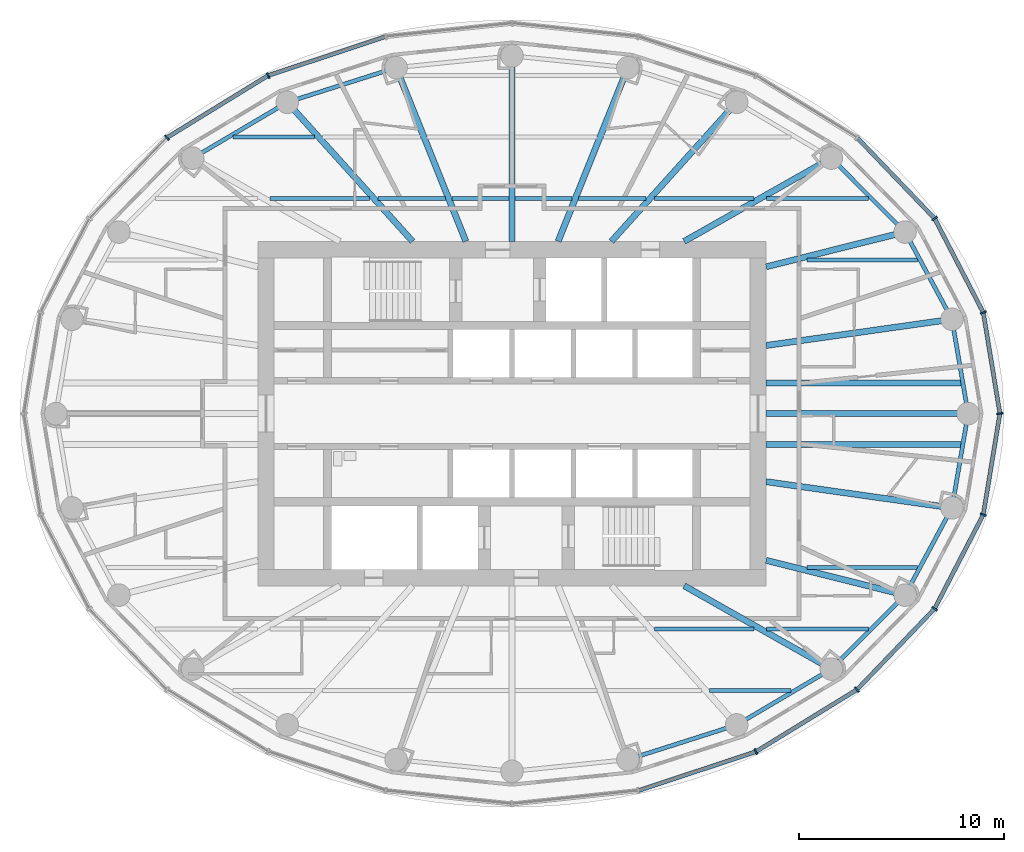
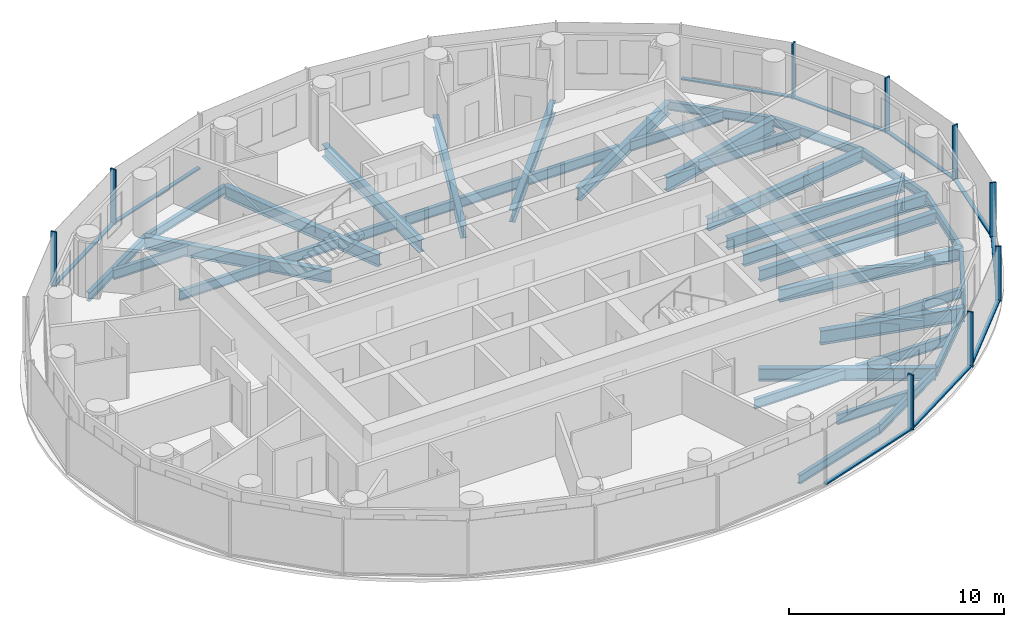
# One storey, part 3 of 16: 37 beams, 19 members, 3 elements without a shape of their own.
"""IFC4 building model written with IfcOpenShell, lengths in metres."""

from ifc_helpers import new_model, si_unit, direction, frame, origin, origin_2d, place, context, subcontext, project, spatial, rectangle, i_section, extrude, material, material_profile, profile_set, type_object, element, aggregate, save


model = new_model("IFC4")

# Units and contexts
model_context = context("Model", 3, precision=1e-05, world=origin(), true_north=direction((0.0, 1.0)))
body_context = subcontext(model_context, "Body", "Model", "MODEL_VIEW")
ifc_project = project(units=[si_unit("LENGTHUNIT", "METRE"), si_unit("AREAUNIT", "SQUARE_METRE"), si_unit("VOLUMEUNIT", "CUBIC_METRE"), si_unit("PLANEANGLEUNIT", "RADIAN"), si_unit("MASSUNIT", "GRAM", prefix="KILO")], contexts=[model_context])

# Site, building, storey
site_placement = place(None, origin())
site = spatial("IfcSite", under=ifc_project, at=site_placement, CompositionType="ELEMENT")
building_placement = place(site_placement, origin())
building = spatial("IfcBuilding", under=site, at=building_placement, Name="Hankou Lantern Tower", CompositionType="ELEMENT")
storey_placement = place(building_placement, frame((0.0, 0.0, 173.10009765625)))
storey = spatial("IfcBuildingStorey", under=building, at=storey_placement, Name="L46", CompositionType="ELEMENT", Elevation=173.10009765625)

# Beams
ifc_material_1 = material(Name="Steel Q355B", Category="steel")
ifc_material_profile_1 = material_profile(ifc_material_1, i_section(OverallWidth=0.199951171875, OverallDepth=0.5, WebThickness=0.010009765625, FlangeThickness=0.01611328125, FilletRadius=0.012939453125, at=origin_2d()), Name="HN500x200x10x16")
ifc_profile_set_1 = profile_set([ifc_material_profile_1], Name="Steel Q355B")
beam_type_1 = type_object("IfcBeamType", Name="EB5 RING BEAM HN500x200x10x16", PredefinedType="SPANDREL", material=ifc_profile_set_1)
beam_1_placement = place(storey_placement, frame((22.25, 0.0, -0.43017578125), z_axis=(-0.168680718946, 0.985670743735, 0.0), x_axis=(-0.985670743735, -0.168680718946, 0.0)))
element("IfcBeam", 1, at=beam_1_placement, inside=storey, type_object=beam_type_1, Name="Ring beam R01-R02 L46", PredefinedType="SPANDREL", context=body_context, shape_type="SweptSolid", body=[
    extrude(i_section(OverallWidth=0.199951171875, OverallDepth=0.5, WebThickness=0.010009765625, FlangeThickness=0.01611328125, FilletRadius=0.012939453125, at=origin_2d()), origin(), (0.0, 0.0, 1.0), 4.667724609375),
])
beam_2_placement = place(storey_placement, frame((21.462646484375, 4.600830078125, -0.43017578125), z_axis=(-0.474051612334, 0.880497057828, 0.0), x_axis=(-0.880497057828, -0.474051612334, 0.0)))
element("IfcBeam", 2, at=beam_2_placement, inside=storey, type_object=beam_type_1, Name="Ring beam R02-R03 L46", PredefinedType="SPANDREL", context=body_context, shape_type="SweptSolid", body=[
    extrude(i_section(OverallWidth=0.199951171875, OverallDepth=0.5, WebThickness=0.010009765625, FlangeThickness=0.01611328125, FilletRadius=0.012939453125, at=origin_2d()), origin(), (0.0, 0.0, 1.0), 4.831787109375),
])
beam_3_placement = place(storey_placement, frame((19.172119140625, 8.855224609375, -0.43017578125), z_axis=(-0.706147278092, 0.708064984054, 0.0), x_axis=(-0.708064984054, -0.706147278092, 0.0)))
element("IfcBeam", 3, at=beam_3_placement, inside=storey, type_object=beam_type_1, Name="Ring beam R03-R04 L46", PredefinedType="SPANDREL", context=body_context, shape_type="SweptSolid", body=[
    extrude(i_section(OverallWidth=0.199951171875, OverallDepth=0.5, WebThickness=0.010009765625, FlangeThickness=0.01611328125, FilletRadius=0.012939453125, at=origin_2d()), origin(), (0.0, 0.0, 1.0), 5.09228515625),
])
beam_4_placement = place(storey_placement, frame((-5.65283203125, 16.87744140625, -0.43017578125), z_axis=(-0.952790404271, -0.30362879562, 0.0), x_axis=(0.30362879562, -0.952790404271, 0.0)))
element("IfcBeam", 4, at=beam_4_placement, inside=storey, type_object=beam_type_1, Name="Ring beam R08-R09 L46", PredefinedType="SPANDREL", context=body_context, shape_type="SweptSolid", body=[
    extrude(i_section(OverallWidth=0.199951171875, OverallDepth=0.5, WebThickness=0.010009765625, FlangeThickness=0.01611328125, FilletRadius=0.012939453125, at=origin_2d()), origin(), (0.0, 0.0, 1.0), 5.56982421875),
])
beam_5_placement = place(storey_placement, frame((-10.959716796875, 15.186279296875, -0.43017578125), z_axis=(-0.861135888339, -0.508374843806, 0.0), x_axis=(0.508374843806, -0.861135888339, 0.0)))
element("IfcBeam", 5, at=beam_5_placement, inside=storey, type_object=beam_type_1, Name="Ring beam R09-R10 L46", PredefinedType="SPANDREL", context=body_context, shape_type="SweptSolid", body=[
    extrude(i_section(OverallWidth=0.199951171875, OverallDepth=0.5, WebThickness=0.010009765625, FlangeThickness=0.01611328125, FilletRadius=0.012939453125, at=origin_2d()), origin(), (0.0, 0.0, 1.0), 5.36083984375),
])
beam_6_placement = place(storey_placement, frame((5.65283203125, -16.87744140625, -0.43017578125), z_axis=(0.952790404271, 0.30362879562, 0.0), x_axis=(-0.30362879562, 0.952790404271, 0.0)))
element("IfcBeam", 6, at=beam_6_placement, inside=storey, type_object=beam_type_1, Name="Ring beam R20-R21 L46", PredefinedType="SPANDREL", context=body_context, shape_type="SweptSolid", body=[
    extrude(i_section(OverallWidth=0.199951171875, OverallDepth=0.5, WebThickness=0.010009765625, FlangeThickness=0.01611328125, FilletRadius=0.012939453125, at=origin_2d()), origin(), (0.0, 0.0, 1.0), 5.56982421875),
])
beam_7_placement = place(storey_placement, frame((10.959716796875, -15.186279296875, -0.43017578125), z_axis=(0.861135888339, 0.508374843806, 0.0), x_axis=(-0.508374843806, 0.861135888339, 0.0)))
element("IfcBeam", 7, at=beam_7_placement, inside=storey, type_object=beam_type_1, Name="Ring beam R21-R22 L46", PredefinedType="SPANDREL", context=body_context, shape_type="SweptSolid", body=[
    extrude(i_section(OverallWidth=0.199951171875, OverallDepth=0.5, WebThickness=0.010009765625, FlangeThickness=0.01611328125, FilletRadius=0.012939453125, at=origin_2d()), origin(), (0.0, 0.0, 1.0), 5.36083984375),
])
beam_8_placement = place(storey_placement, frame((15.576171875, -12.4609375, -0.43017578125), z_axis=(0.706147278092, 0.708064984054, 0.0), x_axis=(-0.708064984054, 0.706147278092, 0.0)))
element("IfcBeam", 8, at=beam_8_placement, inside=storey, type_object=beam_type_1, Name="Ring beam R22-R23 L46", PredefinedType="SPANDREL", context=body_context, shape_type="SweptSolid", body=[
    extrude(i_section(OverallWidth=0.199951171875, OverallDepth=0.5, WebThickness=0.010009765625, FlangeThickness=0.01611328125, FilletRadius=0.012939453125, at=origin_2d()), origin(), (0.0, 0.0, 1.0), 5.09228515625),
])
beam_9_placement = place(storey_placement, frame((19.172119140625, -8.855224609375, -0.43017578125), z_axis=(0.474051612334, 0.880497057828, 0.0), x_axis=(-0.880497057828, 0.474051612334, 0.0)))
element("IfcBeam", 9, at=beam_9_placement, inside=storey, type_object=beam_type_1, Name="Ring beam R23-R24 L46", PredefinedType="SPANDREL", context=body_context, shape_type="SweptSolid", body=[
    extrude(i_section(OverallWidth=0.199951171875, OverallDepth=0.5, WebThickness=0.010009765625, FlangeThickness=0.01611328125, FilletRadius=0.012939453125, at=origin_2d()), origin(), (0.0, 0.0, 1.0), 4.831787109375),
])
beam_10_placement = place(storey_placement, frame((21.462646484375, -4.600830078125, -0.43017578125), z_axis=(0.168680718946, 0.985670743735, 0.0), x_axis=(-0.985670743735, 0.168680718946, 0.0)))
element("IfcBeam", 10, at=beam_10_placement, inside=storey, type_object=beam_type_1, Name="Ring beam R24-R01 L46", PredefinedType="SPANDREL", context=body_context, shape_type="SweptSolid", body=[
    extrude(i_section(OverallWidth=0.199951171875, OverallDepth=0.5, WebThickness=0.010009765625, FlangeThickness=0.01611328125, FilletRadius=0.012939453125, at=origin_2d()), origin(), (0.0, 0.0, 1.0), 4.667724609375),
])

# Curtain wall, members
ifc_material_2 = material(Name="Glass, dark grey tinted laminated", Category="glass")
curtain_wall_type = type_object("IfcCurtainWallType", Name="CWC OUTER SKIN HIGH-RISE", PredefinedType="USERDEFINED", material=ifc_material_2)
curtain_wall_1_placement = place(storey_placement, origin())
curtain_wall_1 = element("IfcCurtainWall", 11, at=curtain_wall_1_placement, inside=storey, type_object=curtain_wall_type, Name="CWC L46 OS1", ObjectType="OUTER SKIN HIGH-RISE", PredefinedType="USERDEFINED")
ifc_material_3 = material(Name="Aluminium, black anodised", Category="aluminium")
ifc_material_profile_2 = material_profile(ifc_material_3, rectangle(XDim=0.080078125, YDim=0.300048828125, at=origin_2d()), Name="MU1 80X300")
ifc_profile_set_2 = profile_set([ifc_material_profile_2], Name="Aluminium, black anodised")
member_type_1 = type_object("IfcMemberType", Name="MU1 OUTER SKIN MULLION 80X300", PredefinedType="MULLION", material=ifc_profile_set_2)
member_1_placement = place(storey_placement, frame((23.800048828125, 0.0, 0.0), z_axis=(0.0, 0.0, 1.0), x_axis=(-0.162381515188, 0.986728049427, 0.0)))
member_1 = element("IfcMember", 12, at=member_1_placement, type_object=member_type_1, Name="CWC mullion 1", PredefinedType="MULLION", context=body_context, shape_type="SweptSolid", body=[
    extrude(rectangle(XDim=0.080078125, YDim=0.300048828125, at=origin_2d()), origin(), (0.0, 0.0, 1.0), 3.119873046875),
])
member_2_placement = place(storey_placement, frame((22.989013671875, 4.927978515625, 0.0), z_axis=(0.0, 0.0, 1.0), x_axis=(-0.317595577365, 0.94822626479, 0.0)))
member_2 = element("IfcMember", 13, at=member_2_placement, type_object=member_type_1, Name="CWC mullion 2", PredefinedType="MULLION", context=body_context, shape_type="SweptSolid", body=[
    extrude(rectangle(XDim=0.080078125, YDim=0.300048828125, at=origin_2d()), origin(), (0.0, 0.0, 1.0), 3.119873046875),
])
member_3_placement = place(storey_placement, frame((20.611328125, 9.52001953125, 0.0), z_axis=(0.0, 0.0, 1.0), x_axis=(-0.585205735974, 0.810884854084, 0.0)))
member_3 = element("IfcMember", 14, at=member_3_placement, type_object=member_type_1, Name="CWC mullion 3", PredefinedType="MULLION", context=body_context, shape_type="SweptSolid", body=[
    extrude(rectangle(XDim=0.080078125, YDim=0.300048828125, at=origin_2d()), origin(), (0.0, 0.0, 1.0), 3.119873046875),
])

curtain_wall_2_placement = place(storey_placement, origin())
curtain_wall_2 = element("IfcCurtainWall", 15, at=curtain_wall_2_placement, inside=storey, type_object=curtain_wall_type, Name="CWC L46 OS2", ObjectType="OUTER SKIN HIGH-RISE", PredefinedType="USERDEFINED")
member_4_placement = place(storey_placement, frame((-11.89990234375, 16.489013671875, 0.0), z_axis=(0.0, 0.0, 1.0), x_axis=(-0.907841299004, -0.419313934686, 0.0)))
member_4 = element("IfcMember", 16, at=member_4_placement, type_object=member_type_1, Name="CWC mullion 3", PredefinedType="MULLION", context=body_context, shape_type="SweptSolid", body=[
    extrude(rectangle(XDim=0.080078125, YDim=0.300048828125, at=origin_2d()), origin(), (0.0, 0.0, 1.0), 3.119873046875),
])
member_5_placement = place(storey_placement, frame((-16.8291015625, 13.46337890625, 0.0), z_axis=(0.0, 0.0, 1.0), x_axis=(-0.780868809444, -0.624695047553, 0.0)))
member_5 = element("IfcMember", 17, at=member_5_placement, type_object=member_type_1, Name="CWC mullion 4", PredefinedType="MULLION", context=body_context, shape_type="SweptSolid", body=[
    extrude(rectangle(XDim=0.080078125, YDim=0.300048828125, at=origin_2d()), origin(), (0.0, 0.0, 1.0), 3.119873046875),
])

curtain_wall_3_placement = place(storey_placement, origin())
curtain_wall_3 = element("IfcCurtainWall", 18, at=curtain_wall_3_placement, inside=storey, type_object=curtain_wall_type, Name="CWC L46 OS4", ObjectType="OUTER SKIN HIGH-RISE", PredefinedType="USERDEFINED")
member_6_placement = place(storey_placement, frame((11.89990234375, -16.489013671875, 0.0), z_axis=(0.0, 0.0, 1.0), x_axis=(0.907841299004, 0.419313934686, 0.0)))
member_6 = element("IfcMember", 19, at=member_6_placement, type_object=member_type_1, Name="CWC mullion 3", PredefinedType="MULLION", context=body_context, shape_type="SweptSolid", body=[
    extrude(rectangle(XDim=0.080078125, YDim=0.300048828125, at=origin_2d()), origin(), (0.0, 0.0, 1.0), 3.119873046875),
])
member_7_placement = place(storey_placement, frame((16.8291015625, -13.46337890625, 0.0), z_axis=(0.0, 0.0, 1.0), x_axis=(0.780868809444, 0.624695047553, 0.0)))
member_7 = element("IfcMember", 20, at=member_7_placement, type_object=member_type_1, Name="CWC mullion 4", PredefinedType="MULLION", context=body_context, shape_type="SweptSolid", body=[
    extrude(rectangle(XDim=0.080078125, YDim=0.300048828125, at=origin_2d()), origin(), (0.0, 0.0, 1.0), 3.119873046875),
])
member_8_placement = place(storey_placement, frame((20.611328125, -9.52001953125, 0.0), z_axis=(0.0, 0.0, 1.0), x_axis=(0.585205735974, 0.810884854084, 0.0)))
member_8 = element("IfcMember", 21, at=member_8_placement, type_object=member_type_1, Name="CWC mullion 5", PredefinedType="MULLION", context=body_context, shape_type="SweptSolid", body=[
    extrude(rectangle(XDim=0.080078125, YDim=0.300048828125, at=origin_2d()), origin(), (0.0, 0.0, 1.0), 3.119873046875),
])
member_9_placement = place(storey_placement, frame((22.989013671875, -4.927978515625, 0.0), z_axis=(0.0, 0.0, 1.0), x_axis=(0.317595577365, 0.94822626479, 0.0)))
member_9 = element("IfcMember", 22, at=member_9_placement, type_object=member_type_1, Name="CWC mullion 6", PredefinedType="MULLION", context=body_context, shape_type="SweptSolid", body=[
    extrude(rectangle(XDim=0.080078125, YDim=0.300048828125, at=origin_2d()), origin(), (0.0, 0.0, 1.0), 3.119873046875),
])

# Beams
ifc_material_4 = material(Name="Steel Q355B", Category="steel")
ifc_material_profile_3 = material_profile(ifc_material_4, i_section(OverallWidth=0.300048828125, OverallDepth=0.800048828125, WebThickness=0.013916015625, FlangeThickness=0.02587890625, FilletRadius=0.01806640625, at=origin_2d()), Name="HN800x300x14x26")
ifc_profile_set_3 = profile_set([ifc_material_profile_3], Name="Steel Q355B")
beam_type_2 = type_object("IfcBeamType", Name="RB11 RADIAL BEAM HN800x300x14x26", PredefinedType="BEAM", material=ifc_profile_set_3)
for number, where, z_axis, x_axis, name in (
    (23, (12.39990234375, 7.1591796875, -0.580078125), (0.970041619568, 0.242938791274, 0.0), (-0.242938791274, 0.970041619568, 0.0), "Radial beam R03 L46"),
    (24, (12.39990234375, -7.1591796875, -0.580078125), (0.970041619568, -0.242938791274, 0.0), (0.242938791274, 0.970041619568, 0.0), "Radial beam R23 L46"),
):
    element("IfcBeam", number, at=place(storey_placement, frame(where, z_axis=z_axis, x_axis=x_axis)), inside=storey, type_object=beam_type_2, Name=name, PredefinedType="BEAM", context=body_context, shape_type="SweptSolid", body=[
        extrude(i_section(OverallWidth=0.300048828125, OverallDepth=0.800048828125, WebThickness=0.013916015625, FlangeThickness=0.02587890625, FilletRadius=0.01806640625, at=origin_2d()), origin(), (0.0, 0.0, 1.0), 6.9814453125),
    ])
ifc_material_5 = material(Name="Steel Q355B", Category="steel")
ifc_material_profile_4 = material_profile(ifc_material_5, i_section(OverallWidth=0.300048828125, OverallDepth=0.699951171875, WebThickness=0.012939453125, FlangeThickness=0.02392578125, FilletRadius=0.01806640625, at=origin_2d()), Name="HN700x300x13x24")
ifc_profile_set_4 = profile_set([ifc_material_profile_4], Name="Steel Q355B")
beam_type_3 = type_object("IfcBeamType", Name="RB9 RADIAL BEAM HN700x300x13x24", PredefinedType="BEAM", material=ifc_profile_set_4)
beam_11_placement = place(storey_placement, frame((12.39990234375, 0.0, -0.530029296875), z_axis=(1.0, 0.0, 0.0), x_axis=(0.0, 1.0, 0.0)))
element("IfcBeam", 25, at=beam_11_placement, inside=storey, type_object=beam_type_3, Name="Radial beam R01 L46", PredefinedType="BEAM", context=body_context, shape_type="SweptSolid", body=[
    extrude(i_section(OverallWidth=0.300048828125, OverallDepth=0.699951171875, WebThickness=0.012939453125, FlangeThickness=0.02392578125, FilletRadius=0.01806640625, at=origin_2d()), origin(), (0.0, 0.0, 1.0), 9.85009765625),
])
beam_12_placement = place(storey_placement, frame((12.39990234375, 3.322509765625, -0.530029296875), z_axis=(0.990198154617, 0.13966966239, 0.0), x_axis=(-0.13966966239, 0.990198154617, 0.0)))
element("IfcBeam", 26, at=beam_12_placement, inside=storey, type_object=beam_type_3, Name="Radial beam R02 L46", PredefinedType="BEAM", context=body_context, shape_type="SweptSolid", body=[
    extrude(i_section(OverallWidth=0.300048828125, OverallDepth=0.699951171875, WebThickness=0.012939453125, FlangeThickness=0.02392578125, FilletRadius=0.01806640625, at=origin_2d()), origin(), (0.0, 0.0, 1.0), 9.15234375),
])
beam_13_placement = place(storey_placement, frame((8.39990234375, 8.39990234375, -0.530029296875), z_axis=(0.870309058024, 0.492505983234, 0.0), x_axis=(-0.492505983234, 0.870309058024, 0.0)))
element("IfcBeam", 27, at=beam_13_placement, inside=storey, type_object=beam_type_3, Name="Radial beam R04 L46", PredefinedType="BEAM", context=body_context, shape_type="SweptSolid", body=[
    extrude(i_section(OverallWidth=0.300048828125, OverallDepth=0.699951171875, WebThickness=0.012939453125, FlangeThickness=0.02392578125, FilletRadius=0.01806640625, at=origin_2d()), origin(), (0.0, 0.0, 1.0), 8.24560546875),
])
beam_14_placement = place(storey_placement, frame((4.849853515625, 8.39990234375, -0.530029296875), z_axis=(0.669093231314, 0.743178476418, 0.0), x_axis=(-0.743178476418, 0.669093231314, 0.0)))
element("IfcBeam", 28, at=beam_14_placement, inside=storey, type_object=beam_type_3, Name="Radial beam R05 L46", PredefinedType="BEAM", context=body_context, shape_type="SweptSolid", body=[
    extrude(i_section(OverallWidth=0.300048828125, OverallDepth=0.699951171875, WebThickness=0.012939453125, FlangeThickness=0.02392578125, FilletRadius=0.01806640625, at=origin_2d()), origin(), (0.0, 0.0, 1.0), 9.131591796875),
])
beam_15_placement = place(storey_placement, frame((2.250732421875, 8.39990234375, -0.530029296875), z_axis=(0.372436468133, 0.928057690666, 0.0), x_axis=(-0.928057690666, 0.372436468133, 0.0)))
element("IfcBeam", 29, at=beam_15_placement, inside=storey, type_object=beam_type_3, Name="Radial beam R06 L46", PredefinedType="BEAM", context=body_context, shape_type="SweptSolid", body=[
    extrude(i_section(OverallWidth=0.300048828125, OverallDepth=0.699951171875, WebThickness=0.012939453125, FlangeThickness=0.02392578125, FilletRadius=0.01806640625, at=origin_2d()), origin(), (0.0, 0.0, 1.0), 9.134765625),
])
beam_16_placement = place(storey_placement, frame((0.0, 8.39990234375, -0.530029296875), z_axis=(0.0, 1.0, 0.0), x_axis=(-1.0, 0.0, 0.0)))
element("IfcBeam", 30, at=beam_16_placement, inside=storey, type_object=beam_type_3, Name="Radial beam R07 L46", PredefinedType="BEAM", context=body_context, shape_type="SweptSolid", body=[
    extrude(i_section(OverallWidth=0.300048828125, OverallDepth=0.699951171875, WebThickness=0.012939453125, FlangeThickness=0.02392578125, FilletRadius=0.01806640625, at=origin_2d()), origin(), (0.0, 0.0, 1.0), 9.050048828125),
])
beam_17_placement = place(storey_placement, frame((-2.250732421875, 8.39990234375, -0.530029296875), z_axis=(-0.372436468133, 0.928057690666, 0.0), x_axis=(-0.928057690666, -0.372436468133, 0.0)))
element("IfcBeam", 31, at=beam_17_placement, inside=storey, type_object=beam_type_3, Name="Radial beam R08 L46", PredefinedType="BEAM", context=body_context, shape_type="SweptSolid", body=[
    extrude(i_section(OverallWidth=0.300048828125, OverallDepth=0.699951171875, WebThickness=0.012939453125, FlangeThickness=0.02392578125, FilletRadius=0.01806640625, at=origin_2d()), origin(), (0.0, 0.0, 1.0), 9.134765625),
])
beam_18_placement = place(storey_placement, frame((-4.849853515625, 8.39990234375, -0.530029296875), z_axis=(-0.669093231314, 0.743178476418, 0.0), x_axis=(-0.743178476418, -0.669093231314, 0.0)))
element("IfcBeam", 32, at=beam_18_placement, inside=storey, type_object=beam_type_3, Name="Radial beam R09 L46", PredefinedType="BEAM", context=body_context, shape_type="SweptSolid", body=[
    extrude(i_section(OverallWidth=0.300048828125, OverallDepth=0.699951171875, WebThickness=0.012939453125, FlangeThickness=0.02392578125, FilletRadius=0.01806640625, at=origin_2d()), origin(), (0.0, 0.0, 1.0), 9.131591796875),
])
beam_19_placement = place(storey_placement, frame((8.39990234375, -8.39990234375, -0.530029296875), z_axis=(0.870309058024, -0.492505983234, 0.0), x_axis=(0.492505983234, 0.870309058024, 0.0)))
element("IfcBeam", 33, at=beam_19_placement, inside=storey, type_object=beam_type_3, Name="Radial beam R22 L46", PredefinedType="BEAM", context=body_context, shape_type="SweptSolid", body=[
    extrude(i_section(OverallWidth=0.300048828125, OverallDepth=0.699951171875, WebThickness=0.012939453125, FlangeThickness=0.02392578125, FilletRadius=0.01806640625, at=origin_2d()), origin(), (0.0, 0.0, 1.0), 8.24560546875),
])
beam_20_placement = place(storey_placement, frame((12.39990234375, -3.322509765625, -0.530029296875), z_axis=(0.990198154617, -0.13966966239, 0.0), x_axis=(0.13966966239, 0.990198154617, 0.0)))
element("IfcBeam", 34, at=beam_20_placement, inside=storey, type_object=beam_type_3, Name="Radial beam R24 L46", PredefinedType="BEAM", context=body_context, shape_type="SweptSolid", body=[
    extrude(i_section(OverallWidth=0.300048828125, OverallDepth=0.699951171875, WebThickness=0.012939453125, FlangeThickness=0.02392578125, FilletRadius=0.01806640625, at=origin_2d()), origin(), (0.0, 0.0, 1.0), 9.15234375),
])
ifc_material_6 = material(Name="Steel Q355B", Category="steel")
ifc_material_profile_5 = material_profile(ifc_material_6, i_section(OverallWidth=0.199951171875, OverallDepth=0.550048828125, WebThickness=0.010009765625, FlangeThickness=0.01611328125, FilletRadius=0.012939453125, at=origin_2d()), Name="HN550x200x10x16")
ifc_profile_set_5 = profile_set([ifc_material_profile_5], Name="Steel Q355B")
beam_type_4 = type_object("IfcBeamType", Name="SB6 SECONDARY BEAM HN550x200x10x16", PredefinedType="JOIST", material=ifc_profile_set_5)
beam_21_placement = place(storey_placement, frame((9.643310546875, -13.5, -0.455078125), z_axis=(1.0, 0.0, 0.0), x_axis=(0.0, 1.0, 0.0)))
element("IfcBeam", 35, at=beam_21_placement, inside=storey, type_object=beam_type_4, Name="Floor joist J006 L46", PredefinedType="JOIST", context=body_context, shape_type="SweptSolid", body=[
    extrude(i_section(OverallWidth=0.199951171875, OverallDepth=0.550048828125, WebThickness=0.010009765625, FlangeThickness=0.01611328125, FilletRadius=0.012939453125, at=origin_2d()), origin(), (0.0, 0.0, 1.0), 3.97607421875),
])
beam_22_placement = place(storey_placement, frame((6.9423828125, -10.5, -0.455078125), z_axis=(1.0, 0.0, 0.0), x_axis=(0.0, 1.0, 0.0)))
element("IfcBeam", 36, at=beam_22_placement, inside=storey, type_object=beam_type_4, Name="Floor joist J013 L46", PredefinedType="JOIST", context=body_context, shape_type="SweptSolid", body=[
    extrude(i_section(OverallWidth=0.199951171875, OverallDepth=0.550048828125, WebThickness=0.010009765625, FlangeThickness=0.01611328125, FilletRadius=0.012939453125, at=origin_2d()), origin(), (0.0, 0.0, 1.0), 4.864013671875),
])
beam_23_placement = place(storey_placement, frame((12.41552734375, -10.5, -0.455078125), z_axis=(1.0, 0.0, 0.0), x_axis=(0.0, 1.0, 0.0)))
element("IfcBeam", 37, at=beam_23_placement, inside=storey, type_object=beam_type_4, Name="Floor joist J014 L46", PredefinedType="JOIST", context=body_context, shape_type="SweptSolid", body=[
    extrude(i_section(OverallWidth=0.199951171875, OverallDepth=0.550048828125, WebThickness=0.010009765625, FlangeThickness=0.01611328125, FilletRadius=0.012939453125, at=origin_2d()), origin(), (0.0, 0.0, 1.0), 4.97509765625),
])
for number, where, z_axis, x_axis, name in (
    (38, (14.37841796875, -7.5, -0.455078125), (1.0, 0.0, 0.0), (0.0, 1.0, 0.0), "Floor joist J016 L46"),
    (39, (14.37841796875, 7.5, -0.455078125), (1.0, 0.0, 0.0), (0.0, 1.0, 0.0), "Floor joist J026 L46"),
):
    element("IfcBeam", number, at=place(storey_placement, frame(where, z_axis=z_axis, x_axis=x_axis)), inside=storey, type_object=beam_type_4, Name=name, PredefinedType="JOIST", context=body_context, shape_type="SweptSolid", body=[
        extrude(i_section(OverallWidth=0.199951171875, OverallDepth=0.550048828125, WebThickness=0.010009765625, FlangeThickness=0.01611328125, FilletRadius=0.012939453125, at=origin_2d()), origin(), (0.0, 0.0, 1.0), 5.409912109375),
    ])
beam_24_placement = place(storey_placement, frame((-11.806396484375, 10.5, -0.455078125), z_axis=(1.0, 0.0, 0.0), x_axis=(0.0, 1.0, 0.0)))
element("IfcBeam", 40, at=beam_24_placement, inside=storey, type_object=beam_type_4, Name="Floor joist J028 L46", PredefinedType="JOIST", context=body_context, shape_type="SweptSolid", body=[
    extrude(i_section(OverallWidth=0.199951171875, OverallDepth=0.550048828125, WebThickness=0.010009765625, FlangeThickness=0.01611328125, FilletRadius=0.012939453125, at=origin_2d()), origin(), (0.0, 0.0, 1.0), 4.864013671875),
])
beam_25_placement = place(storey_placement, frame((-6.53857421875, 10.5, -0.455078125), z_axis=(1.0, 0.0, 0.0), x_axis=(0.0, 1.0, 0.0)))
element("IfcBeam", 41, at=beam_25_placement, inside=storey, type_object=beam_type_4, Name="Floor joist J029 L46", PredefinedType="JOIST", context=body_context, shape_type="SweptSolid", body=[
    extrude(i_section(OverallWidth=0.199951171875, OverallDepth=0.550048828125, WebThickness=0.010009765625, FlangeThickness=0.01611328125, FilletRadius=0.012939453125, at=origin_2d()), origin(), (0.0, 0.0, 1.0), 3.283447265625),
])
for number, where, z_axis, x_axis, name in (
    (42, (-2.931884765625, 10.5, -0.455078125), (1.0, 0.0, 0.0), (0.0, 1.0, 0.0), "Floor joist J030 L46"),
    (43, (0.14990234375, 10.5, -0.455078125), (1.0, 0.0, 0.0), (0.0, 1.0, 0.0), "Floor joist J031 L46"),
):
    element("IfcBeam", number, at=place(storey_placement, frame(where, z_axis=z_axis, x_axis=x_axis)), inside=storey, type_object=beam_type_4, Name=name, PredefinedType="JOIST", context=body_context, shape_type="SweptSolid", body=[
        extrude(i_section(OverallWidth=0.199951171875, OverallDepth=0.550048828125, WebThickness=0.010009765625, FlangeThickness=0.01611328125, FilletRadius=0.012939453125, at=origin_2d()), origin(), (0.0, 0.0, 1.0), 2.781982421875),
    ])
beam_26_placement = place(storey_placement, frame((3.255126953125, 10.5, -0.455078125), z_axis=(1.0, 0.0, 0.0), x_axis=(0.0, 1.0, 0.0)))
element("IfcBeam", 44, at=beam_26_placement, inside=storey, type_object=beam_type_4, Name="Floor joist J032 L46", PredefinedType="JOIST", context=body_context, shape_type="SweptSolid", body=[
    extrude(i_section(OverallWidth=0.199951171875, OverallDepth=0.550048828125, WebThickness=0.010009765625, FlangeThickness=0.01611328125, FilletRadius=0.012939453125, at=origin_2d()), origin(), (0.0, 0.0, 1.0), 3.283447265625),
])
beam_27_placement = place(storey_placement, frame((6.9423828125, 10.5, -0.455078125), z_axis=(1.0, 0.0, 0.0), x_axis=(0.0, 1.0, 0.0)))
element("IfcBeam", 45, at=beam_27_placement, inside=storey, type_object=beam_type_4, Name="Floor joist J033 L46", PredefinedType="JOIST", context=body_context, shape_type="SweptSolid", body=[
    extrude(i_section(OverallWidth=0.199951171875, OverallDepth=0.550048828125, WebThickness=0.010009765625, FlangeThickness=0.01611328125, FilletRadius=0.012939453125, at=origin_2d()), origin(), (0.0, 0.0, 1.0), 4.864013671875),
])
beam_28_placement = place(storey_placement, frame((12.41552734375, 10.5, -0.455078125), z_axis=(1.0, 0.0, 0.0), x_axis=(0.0, 1.0, 0.0)))
element("IfcBeam", 46, at=beam_28_placement, inside=storey, type_object=beam_type_4, Name="Floor joist J034 L46", PredefinedType="JOIST", context=body_context, shape_type="SweptSolid", body=[
    extrude(i_section(OverallWidth=0.199951171875, OverallDepth=0.550048828125, WebThickness=0.010009765625, FlangeThickness=0.01611328125, FilletRadius=0.012939453125, at=origin_2d()), origin(), (0.0, 0.0, 1.0), 4.97509765625),
])
beam_29_placement = place(storey_placement, frame((-13.619384765625, 13.5, -0.455078125), z_axis=(1.0, 0.0, 0.0), x_axis=(0.0, 1.0, 0.0)))
element("IfcBeam", 47, at=beam_29_placement, inside=storey, type_object=beam_type_4, Name="Floor joist J035 L46", PredefinedType="JOIST", context=body_context, shape_type="SweptSolid", body=[
    extrude(i_section(OverallWidth=0.199951171875, OverallDepth=0.550048828125, WebThickness=0.010009765625, FlangeThickness=0.01611328125, FilletRadius=0.012939453125, at=origin_2d()), origin(), (0.0, 0.0, 1.0), 3.97607421875),
])
ifc_material_7 = material(Name="Steel Q355B", Category="steel")
ifc_material_profile_6 = material_profile(ifc_material_7, i_section(OverallWidth=0.300048828125, OverallDepth=0.64990234375, WebThickness=0.010986328125, FlangeThickness=0.01708984375, FilletRadius=0.01806640625, at=origin_2d()), Name="HN650x300x11x17")
ifc_profile_set_6 = profile_set([ifc_material_profile_6], Name="Steel Q355B")
beam_type_5 = type_object("IfcBeamType", Name="SB8 SECONDARY BEAM HN650x300x11x17", PredefinedType="JOIST", material=ifc_profile_set_6)
for number, where, z_axis, x_axis, name in (
    (48, (12.39990234375, -1.5, -0.505126953125), (1.0, 0.0, 0.0), (0.0, 1.0, 0.0), "Floor joist J020 L46"),
    (49, (12.39990234375, 1.5, -0.505126953125), (1.0, 0.0, 0.0), (0.0, 1.0, 0.0), "Floor joist J022 L46"),
):
    element("IfcBeam", number, at=place(storey_placement, frame(where, z_axis=z_axis, x_axis=x_axis)), inside=storey, type_object=beam_type_5, Name=name, PredefinedType="JOIST", context=body_context, shape_type="SweptSolid", body=[
        extrude(i_section(OverallWidth=0.300048828125, OverallDepth=0.64990234375, WebThickness=0.010986328125, FlangeThickness=0.01708984375, FilletRadius=0.01806640625, at=origin_2d()), origin(), (0.0, 0.0, 1.0), 9.491943359375),
    ])

# Member
ifc_material_8 = material(Name="Aluminium, black anodised", Category="aluminium")
ifc_material_profile_7 = material_profile(ifc_material_8, rectangle(XDim=0.199951171875, YDim=0.080078125, at=origin_2d()), Name="TR1 200X80")
ifc_profile_set_7 = profile_set([ifc_material_profile_7], Name="Aluminium, black anodised")
member_type_2 = type_object("IfcMemberType", Name="TR1 OUTER SKIN TRANSOM 200X80", PredefinedType="USERDEFINED", material=ifc_profile_set_7)
member_10_placement = place(storey_placement, frame((23.79345703125, 0.03955078125, 0.039794921875), z_axis=(-0.162360337061, 0.986731534385, 0.0), x_axis=(-0.986731534385, -0.162360337061, 0.0)))
member_10 = element("IfcMember", 50, at=member_10_placement, type_object=member_type_2, Name="CWC transom 1", ObjectType="TRANSOM", PredefinedType="USERDEFINED", context=body_context, shape_type="SweptSolid", body=[
    extrude(rectangle(XDim=0.199951171875, YDim=0.080078125, at=origin_2d()), origin(), (0.0, 0.0, 1.0), 4.9140625),
])

member_11_placement = place(storey_placement, frame((22.970703125, 4.96337890625, 0.039794921875), z_axis=(-0.459790772977, 0.888027277219, 0.0), x_axis=(-0.888027277219, -0.459790772977, 0.0)))
member_11 = element("IfcMember", 51, at=member_11_placement, type_object=member_type_2, Name="CWC transom 2", ObjectType="TRANSOM", PredefinedType="USERDEFINED", context=body_context, shape_type="SweptSolid", body=[
    extrude(rectangle(XDim=0.199951171875, YDim=0.080078125, at=origin_2d()), origin(), (0.0, 0.0, 1.0), 5.091064453125),
])

member_12_placement = place(storey_placement, frame((20.583740234375, 9.548828125, 0.039794921875), z_axis=(-0.692215543831, 0.721690820836, 0.0), x_axis=(-0.721690820836, -0.692215543831, 0.0)))
member_12 = element("IfcMember", 52, at=member_12_placement, type_object=member_type_2, Name="CWC transom 3", ObjectType="TRANSOM", PredefinedType="USERDEFINED", context=body_context, shape_type="SweptSolid", body=[
    extrude(rectangle(XDim=0.199951171875, YDim=0.080078125, at=origin_2d()), origin(), (0.0, 0.0, 1.0), 5.3837890625),
])

aggregate(curtain_wall_1, [member_1, member_2, member_3, member_10, member_11, member_12])

member_13_placement = place(storey_placement, frame((-6.19775390625, 18.378662109375, 0.039794921875), z_axis=(-0.949242327551, -0.314545709849, 0.0), x_axis=(0.314545709849, -0.949242327551, 0.0)))
member_13 = element("IfcMember", 53, at=member_13_placement, type_object=member_type_2, Name="CWC transom 2", ObjectType="TRANSOM", PredefinedType="USERDEFINED", context=body_context, shape_type="SweptSolid", body=[
    extrude(rectangle(XDim=0.199951171875, YDim=0.080078125, at=origin_2d()), origin(), (0.0, 0.0, 1.0), 5.96728515625),
])

member_14_placement = place(storey_placement, frame((-11.93408203125, 16.46826171875, 0.039794921875), z_axis=(-0.852229482357, -0.523168146394, 0.0), x_axis=(0.523168146394, -0.852229482357, 0.0)))
member_14 = element("IfcMember", 54, at=member_14_placement, type_object=member_type_2, Name="CWC transom 3", ObjectType="TRANSOM", PredefinedType="USERDEFINED", context=body_context, shape_type="SweptSolid", body=[
    extrude(rectangle(XDim=0.199951171875, YDim=0.080078125, at=origin_2d()), origin(), (0.0, 0.0, 1.0), 5.703857421875),
])

aggregate(curtain_wall_2, [member_4, member_5, member_13, member_14])

member_15_placement = place(storey_placement, frame((6.19775390625, -18.378662109375, 0.039794921875), z_axis=(0.949242327551, 0.314545709849, 0.0), x_axis=(-0.314545709849, 0.949242327551, 0.0)))
member_15 = element("IfcMember", 55, at=member_15_placement, type_object=member_type_2, Name="CWC transom 2", ObjectType="TRANSOM", PredefinedType="USERDEFINED", context=body_context, shape_type="SweptSolid", body=[
    extrude(rectangle(XDim=0.199951171875, YDim=0.080078125, at=origin_2d()), origin(), (0.0, 0.0, 1.0), 5.96728515625),
])

member_16_placement = place(storey_placement, frame((11.93408203125, -16.46826171875, 0.039794921875), z_axis=(0.852229482357, 0.523168146394, 0.0), x_axis=(-0.523168146394, 0.852229482357, 0.0)))
member_16 = element("IfcMember", 56, at=member_16_placement, type_object=member_type_2, Name="CWC transom 3", ObjectType="TRANSOM", PredefinedType="USERDEFINED", context=body_context, shape_type="SweptSolid", body=[
    extrude(rectangle(XDim=0.199951171875, YDim=0.080078125, at=origin_2d()), origin(), (0.0, 0.0, 1.0), 5.703857421875),
])

member_17_placement = place(storey_placement, frame((16.85693359375, -13.434326171875, 0.039794921875), z_axis=(0.692215543831, 0.721690820836, 0.0), x_axis=(-0.721690820836, 0.692215543831, 0.0)))
member_17 = element("IfcMember", 57, at=member_17_placement, type_object=member_type_2, Name="CWC transom 4", ObjectType="TRANSOM", PredefinedType="USERDEFINED", context=body_context, shape_type="SweptSolid", body=[
    extrude(rectangle(XDim=0.199951171875, YDim=0.080078125, at=origin_2d()), origin(), (0.0, 0.0, 1.0), 5.3837890625),
])

member_18_placement = place(storey_placement, frame((20.6298828125, -9.484375, 0.039794921875), z_axis=(0.459790772977, 0.888027277219, 0.0), x_axis=(-0.888027277219, 0.459790772977, 0.0)))
member_18 = element("IfcMember", 58, at=member_18_placement, type_object=member_type_2, Name="CWC transom 5", ObjectType="TRANSOM", PredefinedType="USERDEFINED", context=body_context, shape_type="SweptSolid", body=[
    extrude(rectangle(XDim=0.199951171875, YDim=0.080078125, at=origin_2d()), origin(), (0.0, 0.0, 1.0), 5.091064453125),
])

member_19_placement = place(storey_placement, frame((22.99560546875, -4.888427734375, 0.039794921875), z_axis=(0.162360337061, 0.986731534385, 0.0), x_axis=(-0.986731534385, 0.162360337061, 0.0)))
member_19 = element("IfcMember", 59, at=member_19_placement, type_object=member_type_2, Name="CWC transom 6", ObjectType="TRANSOM", PredefinedType="USERDEFINED", context=body_context, shape_type="SweptSolid", body=[
    extrude(rectangle(XDim=0.199951171875, YDim=0.080078125, at=origin_2d()), origin(), (0.0, 0.0, 1.0), 4.9140625),
])

aggregate(curtain_wall_3, [member_6, member_7, member_8, member_9, member_15, member_16, member_17, member_18, member_19])

save(model, "model.ifc")
